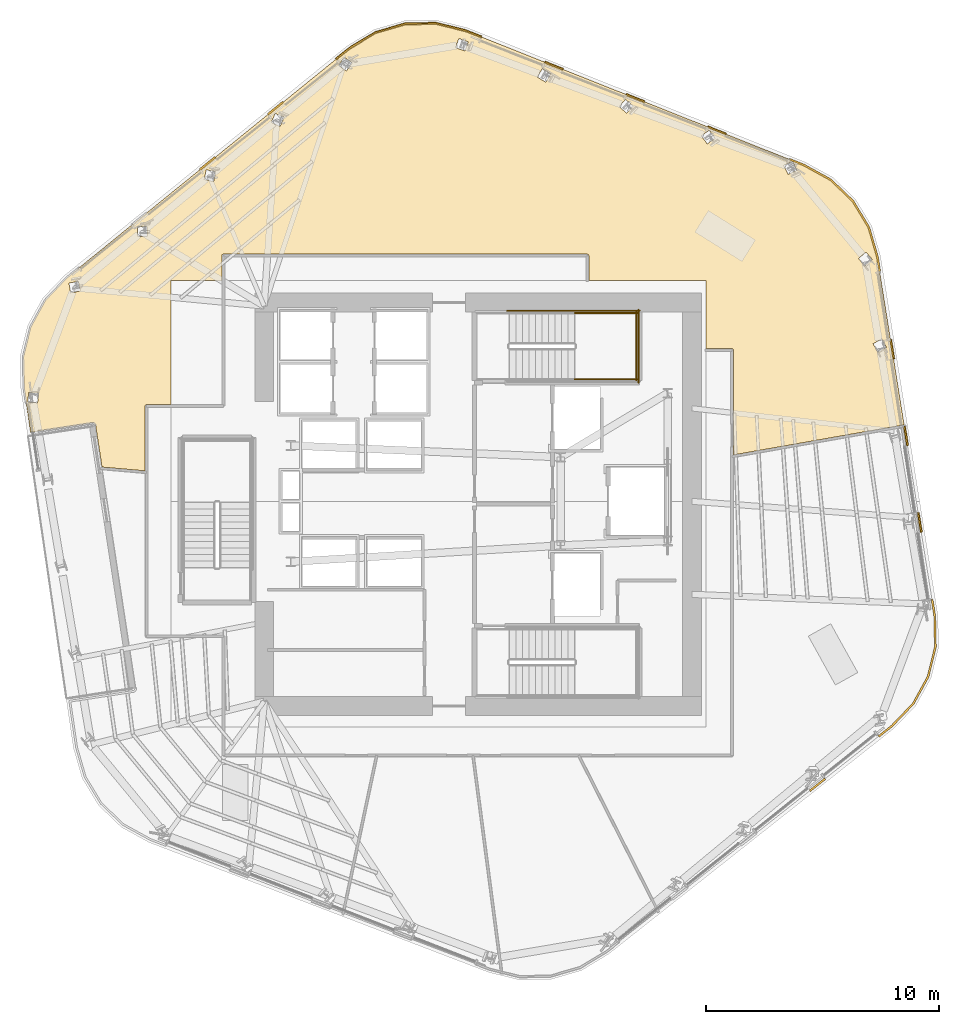
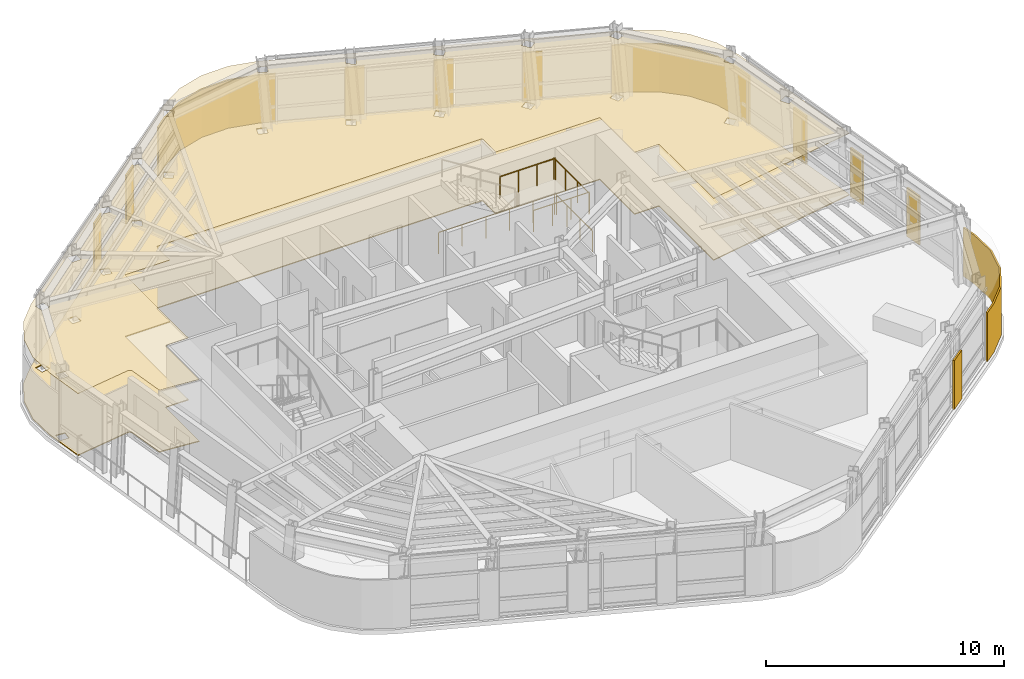
# One storey, part 14 of 15: 14 coverings, 5 railings.
"""IFC4 building model written with IfcOpenShell, lengths in metres."""

from ifc_helpers import new_model, si_unit, direction, frame, origin, origin_2d, place, context, subcontext, project, spatial, polyline, circle, outline, extrude, material, layer, layer_set, type_object, element, save


model = new_model("IFC4")

# Units and contexts
model_context = context("Model", 3, precision=1e-05, world=origin(), true_north=direction((0.0, 1.0)))
body_context = subcontext(model_context, "Body", "Model", "MODEL_VIEW")
ifc_project = project(units=[si_unit("LENGTHUNIT", "METRE"), si_unit("AREAUNIT", "SQUARE_METRE"), si_unit("VOLUMEUNIT", "CUBIC_METRE"), si_unit("PLANEANGLEUNIT", "RADIAN"), si_unit("MASSUNIT", "GRAM", prefix="KILO")], contexts=[model_context])

# Site, building, storey
site_placement = place(None, origin())
site = spatial("IfcSite", under=ifc_project, at=site_placement, CompositionType="ELEMENT")
building_placement = place(site_placement, origin())
building = spatial("IfcBuilding", under=site, at=building_placement, Name="Valkerne Bourse Tower", CompositionType="ELEMENT")
storey_placement = place(building_placement, frame((0.0, 0.0, 189.39990234375)))
storey = spatial("IfcBuildingStorey", under=building, at=storey_placement, Name="L48", CompositionType="ELEMENT", Elevation=189.39990234375)

# Coverings
ifc_material_1 = material(Name="Mineral Fiber Acoustic Ceiling Tile", Category="acoustic")
ifc_layer_1 = layer(ifc_material_1, 0.02490234375)
ifc_layer_set_1 = layer_set([ifc_layer_1], Name="Mineral Fiber Acoustic Ceiling Tile")
covering_type_1 = type_object("IfcCoveringType", Name="COV-CEIL-ACT", PredefinedType="CEILING", material=ifc_layer_set_1)
covering_1_placement = place(storey_placement, frame((0.0, 0.0, 3.170166015625)))
element("IfcCovering", 1, at=covering_1_placement, inside=storey, type_object=covering_type_1, Name="L48 Suspended Ceiling 08", PredefinedType="CEILING", context=body_context, shape_type="SweptSolid", body=[
    extrude(outline(polyline([(29.1162109375, 36.6171875), (41.255126953125, 46.4716796875), (42.3916015625, 47.159912109375), (43.65869140625, 47.528076171875), (44.97802734375, 47.5556640625), (46.268310546875, 47.23876953125), (60.798583984375, 41.46533203125), (61.963623046875, 40.82470703125), (62.916015625, 39.91162109375), (63.599609375, 38.78271484375), (63.970703125, 37.506103515625), (65.122314453125, 30.29052734375), (64.8359375, 30.239990234375), (64.8349609375, 30.243408203125), (64.8115234375, 30.23583984375), (57.7890625, 28.99755859375), (57.7880859375, 33.510986328125), (57.76611328125, 33.5517578125), (57.723388671875, 33.56884765625), (56.60009765625, 33.569091796875), (56.60009765625, 36.5), (51.569091796875, 36.5), (51.56884765625, 37.564697265625), (51.547119140625, 37.61083984375), (51.50439453125, 37.62890625), (35.845458984375, 37.62890625), (35.799072265625, 37.60693359375), (35.781005859375, 37.560791015625), (35.781005859375, 36.5), (33.60009765625, 36.5), (33.60009765625, 31.1689453125), (32.549560546875, 31.1689453125), (32.52001953125, 31.162109375), (32.490966796875, 31.135986328125), (32.48095703125, 31.1005859375), (32.48095703125, 28.31201171875), (30.62890625, 28.47412109375), (30.35693359375, 30.250732421875), (30.330078125, 30.314697265625), (30.27587890625, 30.35888671875), (30.235107421875, 30.37109375), (30.193115234375, 30.370849609375), (27.554931640625, 29.96728515625), (27.2734375, 31.890380859375), (27.24560546875, 33.2197265625), (27.560302734375, 34.501220703125), (28.196044921875, 35.65771484375), (29.1162109375, 36.6171875)]), holes=[polyline([(27.859619140625, 31.237060546875), (27.893310546875, 31.648681640625), (27.47021484375, 31.683837890625), (27.469482421875, 31.680908203125), (27.435791015625, 31.269287109375), (27.85888671875, 31.234130859375), (27.859619140625, 31.237060546875)]), polyline([(29.6904296875, 36.0458984375), (29.613037109375, 36.46240234375), (29.205810546875, 36.38818359375), (29.20458984375, 36.3857421875), (29.28173828125, 35.96923828125), (29.68896484375, 36.04345703125), (29.6904296875, 36.0458984375)]), polyline([(32.568115234375, 38.823486328125), (32.154296875, 38.826904296875), (32.152587890625, 38.824951171875), (32.14990234375, 38.401123046875), (32.56396484375, 38.3974609375), (32.565673828125, 38.399658203125), (32.568115234375, 38.823486328125)]), polyline([(35.518310546875, 41.1728515625), (35.11376953125, 41.260498046875), (35.11181640625, 41.2587890625), (35.02294921875, 40.84423828125), (35.427490234375, 40.756591796875), (35.4296875, 40.75830078125), (35.518310546875, 41.1728515625)]), polyline([(38.287109375, 43.12744140625), (38.4580078125, 43.515380859375), (38.079833984375, 43.68359375), (38.077392578125, 43.68212890625), (37.906494140625, 43.29443359375), (38.28466796875, 43.126220703125), (38.287109375, 43.12744140625)]), polyline([(53.464111328125, 44.0), (53.150146484375, 44.284423828125), (53.147705078125, 44.285400390625), (52.8701171875, 43.97802734375), (53.183837890625, 43.693603515625), (53.186279296875, 43.692626953125), (53.464111328125, 44.0)]), polyline([(49.559326171875, 45.598388671875), (49.556884765625, 45.5986328125), (49.347412109375, 45.2412109375), (49.71240234375, 45.026611328125), (49.715087890625, 45.026123046875), (49.924560546875, 45.383544921875), (49.559326171875, 45.598388671875)]), polyline([(41.385498046875, 45.85791015625), (41.0458984375, 46.09423828125), (41.043212890625, 46.09326171875), (40.80224609375, 45.74462890625), (41.14208984375, 45.50830078125), (41.144775390625, 45.50927734375), (41.385498046875, 45.85791015625)]), polyline([(46.375, 46.759765625), (45.976318359375, 46.902099609375), (45.973388671875, 46.902099609375), (45.834716796875, 46.51171875), (46.2333984375, 46.369384765625), (46.236328125, 46.369384765625), (46.375, 46.759765625)]), polyline([(64.3642578125, 33.6240234375), (64.36328125, 33.626708984375), (64.158935546875, 33.98583984375), (63.789794921875, 33.776123046875), (63.790771484375, 33.773681640625), (63.9951171875, 33.41455078125), (64.3642578125, 33.6240234375)]), polyline([(63.75390625, 37.399169921875), (63.75244140625, 37.401611328125), (63.484375, 37.7158203125), (63.1611328125, 37.440673828125), (63.16259765625, 37.438232421875), (63.4306640625, 37.123779296875), (63.75390625, 37.399169921875)]), polyline([(60.327392578125, 41.621337890625), (60.3251953125, 41.623291015625), (59.950927734375, 41.446044921875), (60.131103515625, 41.06298828125), (60.13330078125, 41.06103515625), (60.5078125, 41.23828125), (60.327392578125, 41.621337890625)]), polyline([(56.9912109375, 42.615966796875), (56.741943359375, 42.95849609375), (56.739501953125, 42.959716796875), (56.4052734375, 42.71533203125), (56.654541015625, 42.373046875), (56.65673828125, 42.37158203125), (56.9912109375, 42.615966796875)])]), origin(), (0.0, 0.0, 1.0), 0.02490234375),
])
ifc_material_2 = material(Name="Bronze Anodised Aluminium AA 6063-T6", Category="aluminium")
ifc_layer_2 = layer(ifc_material_2, 0.06005859375)
ifc_layer_set_2 = layer_set([ifc_layer_2], Name="Bronze Anodised Aluminium AA 6063-T6")
covering_type_2 = type_object("IfcCoveringType", Name="COV-CRN-ALUM", PredefinedType="CLADDING", material=ifc_layer_set_2)
covering_2_placement = place(storey_placement, origin())
element("IfcCovering", 2, at=covering_2_placement, inside=storey, type_object=covering_type_2, Name="L48 Wind-Shaped Corner Aluminium Cladding 03", PredefinedType="CLADDING", context=body_context, shape_type="SweptSolid", body=[
    extrude(outline(polyline([(35.461181640625, 41.82470703125), (35.51123046875, 41.76220703125), (34.859130859375, 41.23291015625), (34.80908203125, 41.29541015625), (35.461181640625, 41.82470703125)])), origin(), (0.0, 0.0, 1.0), 2.5),
])
covering_3_placement = place(storey_placement, origin())
element("IfcCovering", 3, at=covering_3_placement, inside=storey, type_object=covering_type_2, Name="L48 Wind-Shaped Corner Aluminium Cladding 04", PredefinedType="CLADDING", context=body_context, shape_type="SweptSolid", body=[
    extrude(outline(polyline([(38.388916015625, 44.20166015625), (38.43896484375, 44.13916015625), (37.786865234375, 43.609619140625), (37.73681640625, 43.672119140625), (38.388916015625, 44.20166015625)])), origin(), (0.0, 0.0, 1.0), 2.5),
])
covering_4_placement = place(storey_placement, origin())
element("IfcCovering", 4, at=covering_4_placement, inside=storey, type_object=covering_type_2, Name="L48 Wind-Shaped Corner Aluminium Cladding 05", PredefinedType="CLADDING", context=body_context, shape_type="SweptSolid", body=[
    extrude(outline(polyline([(41.229736328125, 46.5078125), (42.373779296875, 47.200439453125), (43.652099609375, 47.572021484375), (44.98291015625, 47.599853515625), (46.28173828125, 47.28076171875), (46.958251953125, 47.01220703125), (46.92919921875, 46.9375), (46.25732421875, 47.204345703125), (44.97412109375, 47.51953125), (43.664306640625, 47.4921875), (42.40625, 47.126708984375), (41.27587890625, 46.442138671875), (40.714599609375, 45.986572265625), (40.66455078125, 46.048828125), (41.229736328125, 46.5078125)])), origin(), (0.0, 0.0, 1.0), 2.5),
])
covering_5_placement = place(storey_placement, origin())
element("IfcCovering", 5, at=covering_5_placement, inside=storey, type_object=covering_type_2, Name="L48 Wind-Shaped Corner Aluminium Cladding 06", PredefinedType="CLADDING", context=body_context, shape_type="SweptSolid", body=[
    extrude(outline(polyline([(50.462646484375, 45.61962890625), (50.43359375, 45.544921875), (49.653076171875, 45.855224609375), (49.68212890625, 45.9296875), (50.462646484375, 45.61962890625)])), origin(), (0.0, 0.0, 1.0), 2.5),
])
covering_6_placement = place(storey_placement, origin())
element("IfcCovering", 6, at=covering_6_placement, inside=storey, type_object=covering_type_2, Name="L48 Wind-Shaped Corner Aluminium Cladding 07", PredefinedType="CLADDING", context=body_context, shape_type="SweptSolid", body=[
    extrude(outline(polyline([(53.96728515625, 44.22705078125), (53.938232421875, 44.152587890625), (53.15771484375, 44.462646484375), (53.186767578125, 44.537109375), (53.96728515625, 44.22705078125)])), origin(), (0.0, 0.0, 1.0), 2.5),
])
covering_7_placement = place(storey_placement, origin())
element("IfcCovering", 7, at=covering_7_placement, inside=storey, type_object=covering_type_2, Name="L48 Wind-Shaped Corner Aluminium Cladding 08", PredefinedType="CLADDING", context=body_context, shape_type="SweptSolid", body=[
    extrude(outline(polyline([(57.471923828125, 42.83447265625), (57.44287109375, 42.760009765625), (56.662109375, 43.070068359375), (56.69140625, 43.144775390625), (57.471923828125, 42.83447265625)])), origin(), (0.0, 0.0, 1.0), 2.5),
])
covering_8_placement = place(storey_placement, origin())
element("IfcCovering", 8, at=covering_8_placement, inside=storey, type_object=covering_type_2, Name="L48 Wind-Shaped Corner Aluminium Cladding 09", PredefinedType="CLADDING", context=body_context, shape_type="SweptSolid", body=[
    extrude(outline(polyline([(60.8173828125, 41.505126953125), (61.989990234375, 40.860595703125), (62.95068359375, 39.939208984375), (63.640380859375, 38.800537109375), (64.013671875, 37.515625), (64.119140625, 36.85498046875), (64.0400390625, 36.843017578125), (63.935302734375, 37.498291015625), (63.56640625, 38.76806640625), (62.8876953125, 39.888916015625), (61.942138671875, 40.79541015625), (60.783203125, 41.4326171875), (60.166748046875, 41.677490234375), (60.19580078125, 41.752197265625), (60.8173828125, 41.505126953125)])), origin(), (0.0, 0.0, 1.0), 2.5),
])
covering_9_placement = place(storey_placement, origin())
element("IfcCovering", 9, at=covering_9_placement, inside=storey, type_object=covering_type_2, Name="L48 Wind-Shaped Corner Aluminium Cladding 10", PredefinedType="CLADDING", context=body_context, shape_type="SweptSolid", body=[
    extrude(outline(polyline([(64.71337890625, 33.131103515625), (64.634521484375, 33.119140625), (64.501953125, 33.948486328125), (64.5810546875, 33.960693359375), (64.71337890625, 33.131103515625)])), origin(), (0.0, 0.0, 1.0), 2.5),
])
covering_10_placement = place(storey_placement, origin())
element("IfcCovering", 10, at=covering_10_placement, inside=storey, type_object=covering_type_2, Name="L48 Wind-Shaped Corner Aluminium Cladding 11", PredefinedType="CLADDING", context=body_context, shape_type="SweptSolid", body=[
    extrude(outline(polyline([(65.30810546875, 29.4072265625), (65.22900390625, 29.395263671875), (65.096435546875, 30.224609375), (65.175537109375, 30.23681640625), (65.30810546875, 29.4072265625)])), origin(), (0.0, 0.0, 1.0), 2.5),
])
covering_11_placement = place(storey_placement, origin())
element("IfcCovering", 11, at=covering_11_placement, inside=storey, type_object=covering_type_2, Name="L48 Wind-Shaped Corner Aluminium Cladding 12", PredefinedType="CLADDING", context=body_context, shape_type="SweptSolid", body=[
    extrude(outline(polyline([(65.902587890625, 25.683349609375), (65.823486328125, 25.671142578125), (65.69091796875, 26.500732421875), (65.77001953125, 26.5126953125), (65.902587890625, 25.683349609375)])), origin(), (0.0, 0.0, 1.0), 2.5),
])
covering_12_placement = place(storey_placement, origin())
element("IfcCovering", 12, at=covering_12_placement, inside=storey, type_object=covering_type_2, Name="L48 Wind-Shaped Corner Aluminium Cladding 13", PredefinedType="CLADDING", context=body_context, shape_type="SweptSolid", body=[
    extrude(outline(polyline([(66.479248046875, 22.070068359375), (66.50732421875, 20.73291015625), (66.189697265625, 19.440185546875), (65.548583984375, 18.273681640625), (64.622802734375, 17.30859375), (64.0517578125, 16.857177734375), (64.001708984375, 16.91943359375), (64.56884765625, 17.367919921875), (65.4833984375, 18.321533203125), (66.114501953125, 19.469482421875), (66.427001953125, 20.74169921875), (66.3994140625, 22.06298828125), (66.285400390625, 22.77685546875), (66.364501953125, 22.788818359375), (66.479248046875, 22.070068359375)])), origin(), (0.0, 0.0, 1.0), 2.5),
])
covering_13_placement = place(storey_placement, origin())
element("IfcCovering", 13, at=covering_13_placement, inside=storey, type_object=covering_type_2, Name="L48 Wind-Shaped Corner Aluminium Cladding 14", PredefinedType="CLADDING", context=body_context, shape_type="SweptSolid", body=[
    extrude(outline(polyline([(61.093505859375, 14.518310546875), (61.043701171875, 14.580810546875), (61.70263671875, 15.101806640625), (61.752685546875, 15.039306640625), (61.093505859375, 14.518310546875)])), origin(), (0.0, 0.0, 1.0), 2.5),
])
ifc_material_3 = material(Name="Galvanised Painted Steel", Category="steel")
ifc_layer_3 = layer(ifc_material_3, 0.044921875)
ifc_layer_set_3 = layer_set([ifc_layer_3], Name="Galvanised Painted Steel")
covering_type_3 = type_object("IfcCoveringType", Name="COV-FLR-RAF", PredefinedType="FLOORING", material=ifc_layer_set_3)
covering_14_placement = place(storey_placement, origin())
element("IfcCovering", 14, at=covering_14_placement, inside=storey, type_object=covering_type_3, Name="L48 Floor Finish 08", PredefinedType="FLOORING", context=body_context, shape_type="SweptSolid", body=[
    extrude(outline(polyline([(29.1162109375, 36.6171875), (41.255126953125, 46.4716796875), (42.3916015625, 47.159912109375), (43.65869140625, 47.528076171875), (44.97802734375, 47.5556640625), (46.268310546875, 47.23876953125), (60.798583984375, 41.46533203125), (61.963623046875, 40.82470703125), (62.916015625, 39.91162109375), (63.599609375, 38.78271484375), (63.970703125, 37.506103515625), (65.122314453125, 30.29052734375), (64.8359375, 30.239990234375), (64.8349609375, 30.243408203125), (64.8115234375, 30.23583984375), (57.7890625, 28.99755859375), (57.7880859375, 33.510986328125), (57.76611328125, 33.5517578125), (57.723388671875, 33.56884765625), (56.60009765625, 33.569091796875), (56.60009765625, 36.5), (51.569091796875, 36.5), (51.56884765625, 37.564697265625), (51.547119140625, 37.61083984375), (51.50439453125, 37.62890625), (35.845458984375, 37.62890625), (35.799072265625, 37.60693359375), (35.781005859375, 37.560791015625), (35.781005859375, 36.5), (33.60009765625, 36.5), (33.60009765625, 31.1689453125), (32.549560546875, 31.1689453125), (32.52001953125, 31.162109375), (32.490966796875, 31.135986328125), (32.48095703125, 31.1005859375), (32.48095703125, 28.31201171875), (30.62890625, 28.47412109375), (30.35693359375, 30.250732421875), (30.330078125, 30.314697265625), (30.27587890625, 30.35888671875), (30.235107421875, 30.37109375), (30.193115234375, 30.370849609375), (27.554931640625, 29.96728515625), (27.2734375, 31.890380859375), (27.24560546875, 33.2197265625), (27.560302734375, 34.501220703125), (28.196044921875, 35.65771484375), (29.1162109375, 36.6171875)]), holes=[polyline([(27.859619140625, 31.237060546875), (27.893310546875, 31.648681640625), (27.47021484375, 31.683837890625), (27.469482421875, 31.680908203125), (27.435791015625, 31.269287109375), (27.85888671875, 31.234130859375), (27.859619140625, 31.237060546875)]), polyline([(29.6904296875, 36.0458984375), (29.613037109375, 36.46240234375), (29.205810546875, 36.38818359375), (29.20458984375, 36.3857421875), (29.28173828125, 35.96923828125), (29.68896484375, 36.04345703125), (29.6904296875, 36.0458984375)]), polyline([(32.568115234375, 38.823486328125), (32.154296875, 38.826904296875), (32.152587890625, 38.824951171875), (32.14990234375, 38.401123046875), (32.56396484375, 38.3974609375), (32.565673828125, 38.399658203125), (32.568115234375, 38.823486328125)]), polyline([(35.518310546875, 41.1728515625), (35.11376953125, 41.260498046875), (35.11181640625, 41.2587890625), (35.02294921875, 40.84423828125), (35.427490234375, 40.756591796875), (35.4296875, 40.75830078125), (35.518310546875, 41.1728515625)]), polyline([(38.287109375, 43.12744140625), (38.4580078125, 43.515380859375), (38.079833984375, 43.68359375), (38.077392578125, 43.68212890625), (37.906494140625, 43.29443359375), (38.28466796875, 43.126220703125), (38.287109375, 43.12744140625)]), polyline([(53.464111328125, 44.0), (53.150146484375, 44.284423828125), (53.147705078125, 44.285400390625), (52.8701171875, 43.97802734375), (53.183837890625, 43.693603515625), (53.186279296875, 43.692626953125), (53.464111328125, 44.0)]), polyline([(49.559326171875, 45.598388671875), (49.556884765625, 45.5986328125), (49.347412109375, 45.2412109375), (49.71240234375, 45.026611328125), (49.715087890625, 45.026123046875), (49.924560546875, 45.383544921875), (49.559326171875, 45.598388671875)]), polyline([(41.385498046875, 45.85791015625), (41.0458984375, 46.09423828125), (41.043212890625, 46.09326171875), (40.80224609375, 45.74462890625), (41.14208984375, 45.50830078125), (41.144775390625, 45.50927734375), (41.385498046875, 45.85791015625)]), polyline([(46.375, 46.759765625), (45.976318359375, 46.902099609375), (45.973388671875, 46.902099609375), (45.834716796875, 46.51171875), (46.2333984375, 46.369384765625), (46.236328125, 46.369384765625), (46.375, 46.759765625)]), polyline([(64.3642578125, 33.6240234375), (64.36328125, 33.626708984375), (64.158935546875, 33.98583984375), (63.789794921875, 33.776123046875), (63.790771484375, 33.773681640625), (63.9951171875, 33.41455078125), (64.3642578125, 33.6240234375)]), polyline([(63.75390625, 37.399169921875), (63.75244140625, 37.401611328125), (63.484375, 37.7158203125), (63.1611328125, 37.440673828125), (63.16259765625, 37.438232421875), (63.4306640625, 37.123779296875), (63.75390625, 37.399169921875)]), polyline([(60.327392578125, 41.621337890625), (60.3251953125, 41.623291015625), (59.950927734375, 41.446044921875), (60.131103515625, 41.06298828125), (60.13330078125, 41.06103515625), (60.5078125, 41.23828125), (60.327392578125, 41.621337890625)]), polyline([(56.9912109375, 42.615966796875), (56.741943359375, 42.95849609375), (56.739501953125, 42.959716796875), (56.4052734375, 42.71533203125), (56.654541015625, 42.373046875), (56.65673828125, 42.37158203125), (56.9912109375, 42.615966796875)])]), origin(), (0.0, 0.0, 1.0), 0.045166015625),
])

# Railings
railing_type = type_object("IfcRailingType", Name="RLG-ST-GUARD-1120", PredefinedType="GUARDRAIL", material=ifc_material_3)
for number, where, name in (
    (15, (50.949951171875, 32.25, 1.900146484375), "L48 ST-2 stair guard 3"),
    (16, (50.949951171875, 35.10009765625, 1.900146484375), "L48 ST-2 stair guard 4"),
):
    element("IfcRailing", number, at=place(storey_placement, frame(where)), inside=storey, type_object=railing_type, Name=name, PredefinedType="GUARDRAIL", context=body_context, shape_type="SweptSolid", body=[
        extrude(circle(Radius=0.02392578125, at=origin_2d()), frame((0.0, 0.0, 1.09619140625), z_axis=(1.0, 0.0, 0.0), x_axis=(0.0, 1.0, 0.0)), (0.0, 0.0, 1.0), 2.699951171875),
        extrude(circle(Radius=0.02099609375, at=origin_2d()), origin(), (0.0, 0.0, 1.0), 1.072021484375),
        extrude(circle(Radius=0.02099609375, at=origin_2d()), frame((0.89990234375, 0.0, 0.0)), (0.0, 0.0, 1.0), 1.072021484375),
        extrude(circle(Radius=0.02099609375, at=origin_2d()), frame((1.800048828125, 0.0, 0.0)), (0.0, 0.0, 1.0), 1.072021484375),
        extrude(circle(Radius=0.02099609375, at=origin_2d()), frame((2.699951171875, 0.0, 0.0)), (0.0, 0.0, 1.0), 1.072021484375),
    ])
railing_1_placement = place(storey_placement, frame((53.60009765625, 32.199951171875, 1.900146484375)))
element("IfcRailing", 17, at=railing_1_placement, inside=storey, type_object=railing_type, Name="L48 ST-2 stair guard 5", PredefinedType="GUARDRAIL", context=body_context, shape_type="SweptSolid", body=[
    extrude(circle(Radius=0.02392578125, at=origin_2d()), frame((0.0, 0.0, 1.09619140625), z_axis=(0.0, 1.0, 0.0), x_axis=(-1.0, 0.0, 0.0)), (0.0, 0.0, 1.0), 2.949951171875),
    extrude(circle(Radius=0.02099609375, at=origin_2d()), origin(), (0.0, 0.0, 1.0), 1.072021484375),
    extrude(circle(Radius=0.02099609375, at=origin_2d()), frame((0.0, 0.9833984375, 0.0)), (0.0, 0.0, 1.0), 1.072021484375),
    extrude(circle(Radius=0.02099609375, at=origin_2d()), frame((0.0, 1.966552734375, 0.0)), (0.0, 0.0, 1.0), 1.072021484375),
    extrude(circle(Radius=0.02099609375, at=origin_2d()), frame((0.0, 2.949951171875, 0.0)), (0.0, 0.0, 1.0), 1.072021484375),
])
railing_2_placement = place(storey_placement, frame((48.050048828125, 35.199951171875, 0.0)))
element("IfcRailing", 18, at=railing_2_placement, inside=storey, type_object=railing_type, Name="L48 ST-2 stair guard 11", PredefinedType="GUARDRAIL", context=body_context, shape_type="SweptSolid", body=[
    extrude(circle(Radius=0.02392578125, at=origin_2d()), frame((0.0, 0.0, 1.09619140625), z_axis=(1.0, 0.0, 0.0), x_axis=(0.0, 1.0, 0.0)), (0.0, 0.0, 1.0), 5.699951171875),
    extrude(circle(Radius=0.02099609375, at=origin_2d()), origin(), (0.0, 0.0, 1.0), 1.072021484375),
    extrude(circle(Radius=0.02099609375, at=origin_2d()), frame((1.139892578125, 0.0, 0.0)), (0.0, 0.0, 1.0), 1.072021484375),
    extrude(circle(Radius=0.02099609375, at=origin_2d()), frame((2.280029296875, 0.0, 0.0)), (0.0, 0.0, 1.0), 1.072021484375),
    extrude(circle(Radius=0.02099609375, at=origin_2d()), frame((3.419921875, 0.0, 0.0)), (0.0, 0.0, 1.0), 1.072021484375),
    extrude(circle(Radius=0.02099609375, at=origin_2d()), frame((4.56005859375, 0.0, 0.0)), (0.0, 0.0, 1.0), 1.072021484375),
    extrude(circle(Radius=0.02099609375, at=origin_2d()), frame((5.699951171875, 0.0, 0.0)), (0.0, 0.0, 1.0), 1.072021484375),
])
railing_3_placement = place(storey_placement, frame((53.699951171875, 32.10009765625, 0.0)))
element("IfcRailing", 19, at=railing_3_placement, inside=storey, type_object=railing_type, Name="L48 ST-2 stair guard 12", PredefinedType="GUARDRAIL", context=body_context, shape_type="SweptSolid", body=[
    extrude(circle(Radius=0.02392578125, at=origin_2d()), frame((0.0, 0.0, 1.09619140625), z_axis=(0.0, 1.0, 0.0), x_axis=(-1.0, 0.0, 0.0)), (0.0, 0.0, 1.0), 3.14990234375),
    extrude(circle(Radius=0.02099609375, at=origin_2d()), origin(), (0.0, 0.0, 1.0), 1.072021484375),
    extrude(circle(Radius=0.02099609375, at=origin_2d()), frame((0.0, 1.050048828125, 0.0)), (0.0, 0.0, 1.0), 1.072021484375),
    extrude(circle(Radius=0.02099609375, at=origin_2d()), frame((0.0, 2.099853515625, 0.0)), (0.0, 0.0, 1.0), 1.072021484375),
    extrude(circle(Radius=0.02099609375, at=origin_2d()), frame((0.0, 3.14990234375, 0.0)), (0.0, 0.0, 1.0), 1.072021484375),
])

save(model, "model.ifc")
